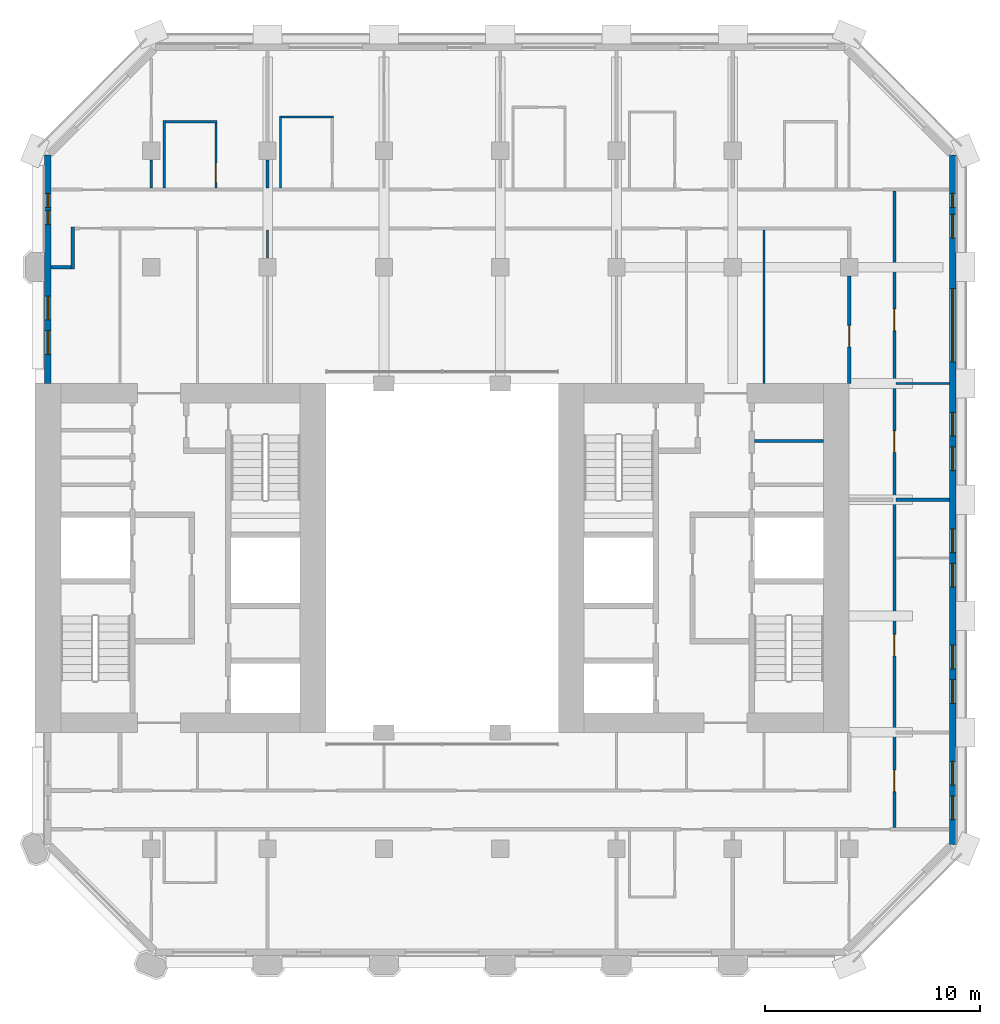
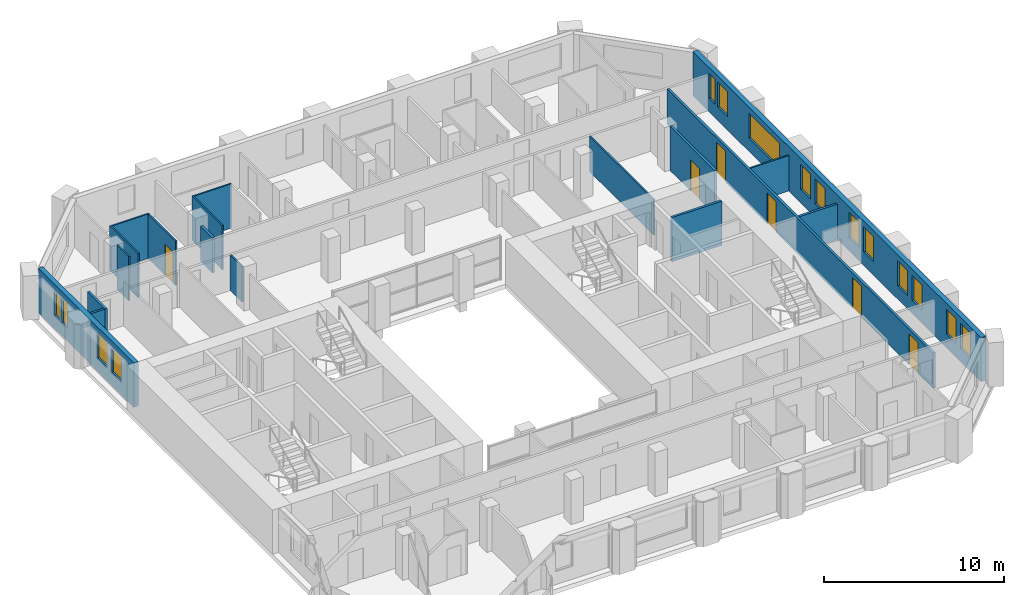
# One storey, part 7 of 12: 18 walls, 15 windows, 6 doors, 21 openings.
"""IFC4 building model written with IfcOpenShell, lengths in metres."""

from ifc_helpers import new_model, si_unit, direction, frame, frame_2d, origin, place, context, subcontext, project, spatial, rectangle, extrude, material, layer, layer_set, type_object, element, fill, save


model = new_model("IFC4")

# Units and contexts
model_context = context("Model", 3, precision=1e-05, world=origin(), true_north=direction((0.0, 1.0)))
body_context = subcontext(model_context, "Body", "Model", "MODEL_VIEW")
ifc_project = project(units=[si_unit("LENGTHUNIT", "METRE"), si_unit("AREAUNIT", "SQUARE_METRE"), si_unit("VOLUMEUNIT", "CUBIC_METRE"), si_unit("PLANEANGLEUNIT", "RADIAN"), si_unit("MASSUNIT", "GRAM", prefix="KILO")], contexts=[model_context])

# Site, building, storey
site_placement = place(None, origin())
site = spatial("IfcSite", under=ifc_project, at=site_placement, CompositionType="ELEMENT")
building_placement = place(site_placement, origin())
building = spatial("IfcBuilding", under=site, at=building_placement, Name="Tabaq Tower and Sports Hall", CompositionType="ELEMENT")
storey_placement = place(building_placement, frame((0.0, 0.0, 193.89990234375)))
storey = spatial("IfcBuildingStorey", under=building, at=storey_placement, Name="L47", CompositionType="ELEMENT", Elevation=193.89990234375)

# Walls
ifc_material_1 = material(Name="Blockwork", Category="masonry")
ifc_layer_1 = layer(ifc_material_1, 0.14990234375)
ifc_layer_set_1 = layer_set([ifc_layer_1], Name="Core room partition 150 Blockwork")
wall_type_1 = type_object("IfcWallType", Name="Core room partition 150 Blockwork", PredefinedType="PARTITIONING", material=ifc_layer_set_1)
wall_1_placement = place(storey_placement, frame((38.800048828125, 29.72412109375, 0.0), z_axis=(0.0, 0.0, 1.0), x_axis=(1.0, 0.0, 0.0)))
element("IfcWall", 1, at=wall_1_placement, inside=storey, type_object=wall_type_1, Name="Core room partition E L47", PredefinedType="PARTITIONING", context=body_context, shape_type="SweptSolid", body=[
    extrude(rectangle(XDim=3.199951171875, YDim=0.14990234375, at=frame_2d((1.60009765625, 0.0))), origin(), (0.0, 0.0, 1.0), 3.0),
])
ifc_material_2 = material(Name="Gypsum board on steel studs", Category="steel")
ifc_layer_2 = layer(ifc_material_2, 0.10009765625)
ifc_layer_set_2 = layer_set([ifc_layer_2], Name="Partition 100 Gypsum board")
wall_type_2 = type_object("IfcWallType", Name="Partition 100 Gypsum board", PredefinedType="PARTITIONING", material=ifc_layer_set_2)
wall_2_placement = place(storey_placement, frame((45.375, 32.39990234375, 0.0), z_axis=(0.0, 0.0, 1.0), x_axis=(1.0, 0.0, 0.0)))
element("IfcWall", 2, at=wall_2_placement, inside=storey, type_object=wall_type_2, Name="Partition wall L47", PredefinedType="PARTITIONING", context=body_context, shape_type="SweptSolid", body=[
    extrude(rectangle(XDim=2.47412109375, YDim=0.10009765625, at=frame_2d((1.237060546875, 0.0))), origin(), (0.0, 0.0, 1.0), 2.400146484375),
])
wall_3_placement = place(storey_placement, frame((10.800048828125, 42.780029296875, 0.0), z_axis=(0.0, 0.0, 1.0), x_axis=(0.0, -1.0, 0.0)))
element("IfcWall", 3, at=wall_3_placement, inside=storey, type_object=wall_type_2, Name="Partition wall L47", PredefinedType="PARTITIONING", context=body_context, shape_type="SweptSolid", body=[
    extrude(rectangle(XDim=1.304931640625, YDim=0.10009765625, at=frame_2d((0.65234375, 0.0))), origin(), (0.0, 0.0, 1.0), 3.0),
])
wall_4_placement = place(storey_placement, frame((11.39990234375, 41.47509765625, 0.0), z_axis=(0.0, 0.0, 1.0), x_axis=(0.0, 1.0, 0.0)))
element("IfcWall", 4, at=wall_4_placement, inside=storey, type_object=wall_type_2, Name="Partition wall L47", PredefinedType="PARTITIONING", context=body_context, shape_type="SweptSolid", body=[
    extrude(rectangle(XDim=3.125, YDim=0.10009765625, at=frame_2d((1.5625, 0.0))), origin(), (0.0, 0.0, 1.0), 3.0),
])
wall_5_placement = place(storey_placement, frame((11.449951171875, 44.550048828125, 0.0), z_axis=(0.0, 0.0, 1.0), x_axis=(1.0, 0.0, 0.0)))
element("IfcWall", 5, at=wall_5_placement, inside=storey, type_object=wall_type_2, Name="Partition wall L47", PredefinedType="PARTITIONING", context=body_context, shape_type="SweptSolid", body=[
    extrude(rectangle(XDim=2.400146484375, YDim=0.10009765625, at=frame_2d((1.2001953125, 0.0))), origin(), (0.0, 0.0, 1.0), 3.0),
])

# Wall, opening, door
wall_6_placement = place(storey_placement, frame((13.800048828125, 44.5, 0.0), z_axis=(0.0, 0.0, 1.0), x_axis=(0.0, -1.0, 0.0)))
wall_6 = element("IfcWall", 6, at=wall_6_placement, inside=storey, type_object=wall_type_2, Name="Partition wall L47", PredefinedType="PARTITIONING", context=body_context, shape_type="SweptSolid", body=[
    extrude(rectangle(XDim=3.02490234375, YDim=0.10009765625, at=frame_2d((1.512451171875, 0.0))), origin(), (0.0, 0.0, 1.0), 3.0),
])
opening_1_placement = place(wall_6_placement, frame((1.875, 0.0, 0.0)))
opening_1 = element("IfcOpeningElement", 7, at=opening_1_placement, cuts=wall_6, Name="Opening L47-002", PredefinedType="OPENING", context=body_context, shape_type="SweptSolid", body=[
    extrude(rectangle(XDim=0.89990234375, YDim=2.10009765625, at=frame_2d((0.449951171875, 1.050048828125))), frame((0.0, 0.050048828125, 0.0), z_axis=(0.0, -1.0, 0.0), x_axis=(1.0, 0.0, 0.0)), (0.0, 0.0, 1.0), 0.10009765625),
])
ifc_material_3 = material(Name="Timber leaf in steel frame", Category="steel")
door_type_1 = type_object("IfcDoorType", Name="Internal door 900 right hand", OperationType="SINGLE_SWING_RIGHT", PredefinedType="DOOR", material=ifc_material_3)
door_1_placement = place(opening_1_placement, origin())
door_1 = element("IfcDoor", 8, at=door_1_placement, inside=storey, type_object=door_type_1, Name="Internal door L47-002", OperationType="SINGLE_SWING_RIGHT", OverallHeight=2.10009765625, OverallWidth=0.89990234375, PredefinedType="DOOR", context=body_context, shape_type="SweptSolid", body=[
    extrude(rectangle(XDim=0.89990234375, YDim=2.10009765625, at=frame_2d((0.449951171875, 1.050048828125))), frame((0.0, 0.02490234375, 0.0), z_axis=(0.0, -1.0, 0.0), x_axis=(1.0, 0.0, 0.0)), (0.0, 0.0, 1.0), 0.050048828125),
])
fill(opening_1, door_1)

# Walls
wall_7_placement = place(storey_placement, frame((16.800048828125, 41.47509765625, 0.0), z_axis=(0.0, 0.0, 1.0), x_axis=(0.0, 1.0, 0.0)))
element("IfcWall", 9, at=wall_7_placement, inside=storey, type_object=wall_type_2, Name="Partition wall L47", PredefinedType="PARTITIONING", context=body_context, shape_type="SweptSolid", body=[
    extrude(rectangle(XDim=3.349853515625, YDim=0.10009765625, at=frame_2d((1.6748046875, 0.0))), origin(), (0.0, 0.0, 1.0), 3.0),
])
wall_8_placement = place(storey_placement, frame((16.85009765625, 44.77490234375, 0.0), z_axis=(0.0, 0.0, 1.0), x_axis=(1.0, 0.0, 0.0)))
element("IfcWall", 10, at=wall_8_placement, inside=storey, type_object=wall_type_2, Name="Partition wall L47", PredefinedType="PARTITIONING", context=body_context, shape_type="SweptSolid", body=[
    extrude(rectangle(XDim=2.39990234375, YDim=0.10009765625, at=frame_2d((1.199951171875, 0.0))), origin(), (0.0, 0.0, 1.0), 3.0),
])
wall_9_placement = place(storey_placement, frame((16.199951171875, 39.52490234375, 0.0), z_axis=(0.0, 0.0, 1.0), x_axis=(0.0, -1.0, 0.0)))
element("IfcWall", 11, at=wall_9_placement, inside=storey, type_object=wall_type_2, Name="Partition wall L47", PredefinedType="PARTITIONING", context=body_context, shape_type="SweptSolid", body=[
    extrude(rectangle(XDim=1.304931640625, YDim=0.10009765625, at=frame_2d((0.65234375, 0.0))), origin(), (0.0, 0.0, 1.0), 2.400146484375),
])
wall_10_placement = place(storey_placement, frame((39.25, 32.39990234375, 0.0), z_axis=(0.0, 0.0, 1.0), x_axis=(0.0, 1.0, 0.0)))
element("IfcWall", 12, at=wall_10_placement, inside=storey, type_object=wall_type_2, Name="Partition wall L47", PredefinedType="PARTITIONING", context=body_context, shape_type="SweptSolid", body=[
    extrude(rectangle(XDim=7.125, YDim=0.10009765625, at=frame_2d((3.5625, 0.0))), origin(), (0.0, 0.0, 1.0), 2.400146484375),
])
ifc_material_4 = material(Name="Blockwork", Category="masonry")
ifc_layer_3 = layer(ifc_material_4, 0.14990234375)
ifc_layer_set_3 = layer_set([ifc_layer_3], Name="Separating wall 150 Blockwork")
wall_type_3 = type_object("IfcWallType", Name="Separating wall 150 Blockwork", PredefinedType="PARTITIONING", material=ifc_layer_set_3)
wall_11_placement = place(storey_placement, frame((16.199951171875, 41.47509765625, 0.0), z_axis=(0.0, 0.0, 1.0), x_axis=(0.0, 1.0, 0.0)))
element("IfcWall", 13, at=wall_11_placement, inside=storey, type_object=wall_type_3, Name="Separating wall L47", PredefinedType="PARTITIONING", context=body_context, shape_type="SweptSolid", body=[
    extrude(rectangle(XDim=1.304931640625, YDim=0.14990234375, at=frame_2d((0.65234375, 0.0))), origin(), (0.0, 0.0, 1.0), 2.400146484375),
])
wall_12_placement = place(storey_placement, frame((45.375, 27.0, 0.0), z_axis=(0.0, 0.0, 1.0), x_axis=(1.0, 0.0, 0.0)))
element("IfcWall", 14, at=wall_12_placement, inside=storey, type_object=wall_type_3, Name="Separating wall L47", PredefinedType="PARTITIONING", context=body_context, shape_type="SweptSolid", body=[
    extrude(rectangle(XDim=2.47412109375, YDim=0.14990234375, at=frame_2d((1.237060546875, 0.0))), origin(), (0.0, 0.0, 1.0), 2.400146484375),
])
wall_13_placement = place(storey_placement, frame((7.15087890625, 39.675048828125, 0.0), z_axis=(0.0, 0.0, 1.0), x_axis=(-0.00050081376, -0.999999874593, 0.0)))
element("IfcWall", 15, at=wall_13_placement, inside=storey, type_object=wall_type_3, Name="Separating wall L47", PredefinedType="PARTITIONING", context=body_context, shape_type="SweptSolid", body=[
    extrude(rectangle(XDim=1.949951171875, YDim=0.14990234375, at=frame_2d((0.97509765625, 0.0))), origin(), (0.0, 0.0, 1.0), 3.0),
])
wall_14_placement = place(storey_placement, frame((7.074951171875, 37.800048828125, 0.0), z_axis=(0.0, 0.0, 1.0), x_axis=(-1.0, 0.0, 0.0)))
element("IfcWall", 16, at=wall_14_placement, inside=storey, type_object=wall_type_3, Name="Separating wall L47", PredefinedType="PARTITIONING", context=body_context, shape_type="SweptSolid", body=[
    extrude(rectangle(XDim=0.925048828125, YDim=0.14990234375, at=frame_2d((0.46240234375, 0.0))), origin(), (0.0, 0.0, 1.0), 3.0),
])

# Wall, opening, door
wall_15_placement = place(storey_placement, frame((43.199951171875, 37.3798828125, 0.0), z_axis=(0.0, 0.0, 1.0), x_axis=(0.0, -1.0, 0.0)))
wall_15 = element("IfcWall", 17, at=wall_15_placement, inside=storey, type_object=wall_type_3, Name="Separating wall L47", PredefinedType="PARTITIONING", context=body_context, shape_type="SweptSolid", body=[
    extrude(rectangle(XDim=4.97998046875, YDim=0.14990234375, at=frame_2d((2.489990234375, 0.0))), origin(), (0.0, 0.0, 1.0), 3.0),
])
opening_2_placement = place(wall_15_placement, frame((2.280029296875, 0.0, 0.0)))
opening_2 = element("IfcOpeningElement", 18, at=opening_2_placement, cuts=wall_15, Name="Opening L47-011", PredefinedType="OPENING", context=body_context, shape_type="SweptSolid", body=[
    extrude(rectangle(XDim=1.0, YDim=2.10009765625, at=frame_2d((0.5, 1.050048828125))), frame((0.0, 0.074951171875, 0.0), z_axis=(0.0, -1.0, 0.0), x_axis=(1.0, 0.0, 0.0)), (0.0, 0.0, 1.0), 0.14990234375),
])
ifc_material_5 = material(Name="Timber leaf in steel frame", Category="steel")
door_type_2 = type_object("IfcDoorType", Name="Internal door 1000 right hand", OperationType="SINGLE_SWING_RIGHT", PredefinedType="DOOR", material=ifc_material_5)
door_2_placement = place(opening_2_placement, origin())
door_2 = element("IfcDoor", 19, at=door_2_placement, inside=storey, type_object=door_type_2, Name="Internal door L47-011", OperationType="SINGLE_SWING_RIGHT", OverallHeight=2.10009765625, OverallWidth=1.0, PredefinedType="DOOR", context=body_context, shape_type="SweptSolid", body=[
    extrude(rectangle(XDim=1.0, YDim=2.10009765625, at=frame_2d((0.5, 1.050048828125))), frame((0.0, 0.02490234375, 0.0), z_axis=(0.0, -1.0, 0.0), x_axis=(1.0, 0.0, 0.0)), (0.0, 0.0, 1.0), 0.050048828125),
])
fill(opening_2, door_2)

# Wall, openings, doors
wall_16_placement = place(storey_placement, frame((45.300048828125, 41.324951171875, 0.0), z_axis=(0.0, 0.0, 1.0), x_axis=(0.0, -1.0, 0.0)))
wall_16 = element("IfcWall", 20, at=wall_16_placement, inside=storey, type_object=wall_type_3, Name="Separating wall L47", PredefinedType="PARTITIONING", context=body_context, shape_type="SweptSolid", body=[
    extrude(rectangle(XDim=29.550048828125, YDim=0.14990234375, at=frame_2d((14.77490234375, 0.0))), origin(), (0.0, 0.0, 1.0), 2.400146484375),
])
opening_3_placement = place(wall_16_placement, frame((5.467041015625, 0.0, 0.0)))
opening_3 = element("IfcOpeningElement", 21, at=opening_3_placement, cuts=wall_16, Name="Opening L47-001", PredefinedType="OPENING", context=body_context, shape_type="SweptSolid", body=[
    extrude(rectangle(XDim=1.0, YDim=2.10009765625, at=frame_2d((0.5, 1.050048828125))), frame((0.0, 0.074951171875, 0.0), z_axis=(0.0, -1.0, 0.0), x_axis=(1.0, 0.0, 0.0)), (0.0, 0.0, 1.0), 0.14990234375),
])
opening_4_placement = place(wall_16_placement, frame((11.125, 0.0, 0.0)))
opening_4 = element("IfcOpeningElement", 22, at=opening_4_placement, cuts=wall_16, Name="Opening L47-008", PredefinedType="OPENING", context=body_context, shape_type="SweptSolid", body=[
    extrude(rectangle(XDim=1.0, YDim=2.10009765625, at=frame_2d((0.5, 1.050048828125))), frame((0.0, 0.074951171875, 0.0), z_axis=(0.0, -1.0, 0.0), x_axis=(1.0, 0.0, 0.0)), (0.0, 0.0, 1.0), 0.14990234375),
])
opening_5_placement = place(wall_16_placement, frame((26.875, 0.0, 0.0)))
opening_5 = element("IfcOpeningElement", 23, at=opening_5_placement, cuts=wall_16, Name="Opening L47-013", PredefinedType="OPENING", context=body_context, shape_type="SweptSolid", body=[
    extrude(rectangle(XDim=1.0, YDim=2.10009765625, at=frame_2d((0.5, 1.050048828125))), frame((0.0, 0.074951171875, 0.0), z_axis=(0.0, -1.0, 0.0), x_axis=(1.0, 0.0, 0.0)), (0.0, 0.0, 1.0), 0.14990234375),
])
opening_6_placement = place(wall_16_placement, frame((20.574951171875, 0.0, 0.0)))
opening_6 = element("IfcOpeningElement", 24, at=opening_6_placement, cuts=wall_16, Name="Opening L47-039", PredefinedType="OPENING", context=body_context, shape_type="SweptSolid", body=[
    extrude(rectangle(XDim=1.0, YDim=2.10009765625, at=frame_2d((0.5, 1.050048828125))), frame((0.0, 0.074951171875, 0.0), z_axis=(0.0, -1.0, 0.0), x_axis=(1.0, 0.0, 0.0)), (0.0, 0.0, 1.0), 0.14990234375),
])
ifc_material_6 = material(Name="Steel fire door", Category="steel")
door_type_3 = type_object("IfcDoorType", Name="Entrance door 1000 right hand", OperationType="SINGLE_SWING_RIGHT", PredefinedType="DOOR", material=ifc_material_6)
door_3_placement = place(opening_6_placement, origin())
door_3 = element("IfcDoor", 25, at=door_3_placement, inside=storey, type_object=door_type_3, Name="Entrance door L47-039", OperationType="SINGLE_SWING_RIGHT", OverallHeight=2.10009765625, OverallWidth=1.0, PredefinedType="DOOR", context=body_context, shape_type="SweptSolid", body=[
    extrude(rectangle(XDim=1.0, YDim=2.10009765625, at=frame_2d((0.5, 1.050048828125))), frame((0.0, 0.02490234375, 0.0), z_axis=(0.0, -1.0, 0.0), x_axis=(1.0, 0.0, 0.0)), (0.0, 0.0, 1.0), 0.050048828125),
])
fill(opening_6, door_3)
ifc_material_7 = material(Name="Timber leaf in steel frame", Category="steel")
door_type_4 = type_object("IfcDoorType", Name="Internal door 1000 left hand", OperationType="SINGLE_SWING_LEFT", PredefinedType="DOOR", material=ifc_material_7)
door_4_placement = place(opening_3_placement, origin())
door_4 = element("IfcDoor", 26, at=door_4_placement, inside=storey, type_object=door_type_4, Name="Internal door L47-001", OperationType="SINGLE_SWING_LEFT", OverallHeight=2.10009765625, OverallWidth=1.0, PredefinedType="DOOR", context=body_context, shape_type="SweptSolid", body=[
    extrude(rectangle(XDim=1.0, YDim=2.10009765625, at=frame_2d((0.5, 1.050048828125))), frame((0.0, 0.02490234375, 0.0), z_axis=(0.0, -1.0, 0.0), x_axis=(1.0, 0.0, 0.0)), (0.0, 0.0, 1.0), 0.050048828125),
])
fill(opening_3, door_4)
door_5_placement = place(opening_5_placement, origin())
door_5 = element("IfcDoor", 27, at=door_5_placement, inside=storey, type_object=door_type_4, Name="Internal door L47-013", OperationType="SINGLE_SWING_LEFT", OverallHeight=2.10009765625, OverallWidth=1.0, PredefinedType="DOOR", context=body_context, shape_type="SweptSolid", body=[
    extrude(rectangle(XDim=1.0, YDim=2.10009765625, at=frame_2d((0.5, 1.050048828125))), frame((0.0, 0.02490234375, 0.0), z_axis=(0.0, -1.0, 0.0), x_axis=(1.0, 0.0, 0.0)), (0.0, 0.0, 1.0), 0.050048828125),
])
fill(opening_5, door_5)
door_6_placement = place(opening_4_placement, origin())
door_6 = element("IfcDoor", 28, at=door_6_placement, inside=storey, type_object=door_type_2, Name="Internal door L47-008", OperationType="SINGLE_SWING_RIGHT", OverallHeight=2.10009765625, OverallWidth=1.0, PredefinedType="DOOR", context=body_context, shape_type="SweptSolid", body=[
    extrude(rectangle(XDim=1.0, YDim=2.10009765625, at=frame_2d((0.5, 1.050048828125))), frame((0.0, 0.02490234375, 0.0), z_axis=(0.0, -1.0, 0.0), x_axis=(1.0, 0.0, 0.0)), (0.0, 0.0, 1.0), 0.050048828125),
])
fill(opening_4, door_6)

# Wall, openings, windows
ifc_material_8 = material(Name="White precast concrete C60/75", Category="concrete")
ifc_layer_4 = layer(ifc_material_8, 0.300048828125)
ifc_layer_set_4 = layer_set([ifc_layer_4], Name="White precast concrete C60/75 external wall 300")
wall_type_4 = type_object("IfcWallType", Name="White precast concrete C60/75 external wall 300", PredefinedType="SOLIDWALL", material=ifc_layer_set_4)
wall_17_placement = place(storey_placement, frame((48.0, 10.986328125, 0.0), z_axis=(0.0, 0.0, 1.0), x_axis=(0.0, 1.0, 0.0)))
wall_17 = element("IfcWall", 29, at=wall_17_placement, inside=storey, type_object=wall_type_4, Name="External Wall L47 E", PredefinedType="SOLIDWALL", context=body_context, shape_type="SweptSolid", body=[
    extrude(rectangle(XDim=32.02734375, YDim=0.300048828125, at=frame_2d((16.013671875, 0.0))), origin(), (0.0, 0.0, 1.0), 3.0),
])
opening_7_placement = place(wall_17_placement, frame((1.16357421875, 0.0, 0.89990234375)))
opening_7 = element("IfcOpeningElement", 30, at=opening_7_placement, cuts=wall_17, Name="Opening W1B", PredefinedType="OPENING", context=body_context, shape_type="SweptSolid", body=[
    extrude(rectangle(XDim=1.10009765625, YDim=1.699951171875, at=frame_2d((0.550048828125, 0.85009765625))), frame((0.0, 0.16015625, 0.0), z_axis=(0.0, -1.0, 0.0), x_axis=(1.0, 0.0, 0.0)), (0.0, 0.0, 1.0), 0.320068359375),
])
opening_8_placement = place(wall_17_placement, frame((2.763671875, 0.0, 0.89990234375)))
opening_8 = element("IfcOpeningElement", 31, at=opening_8_placement, cuts=wall_17, Name="Opening W1B", PredefinedType="OPENING", context=body_context, shape_type="SweptSolid", body=[
    extrude(rectangle(XDim=1.10009765625, YDim=1.699951171875, at=frame_2d((0.550048828125, 0.85009765625))), frame((0.0, 0.16015625, 0.0), z_axis=(0.0, -1.0, 0.0), x_axis=(1.0, 0.0, 0.0)), (0.0, 0.0, 1.0), 0.320068359375),
])
opening_9_placement = place(wall_17_placement, frame((6.563720703125, 0.0, 0.89990234375)))
opening_9 = element("IfcOpeningElement", 32, at=opening_9_placement, cuts=wall_17, Name="Opening W1B", PredefinedType="OPENING", context=body_context, shape_type="SweptSolid", body=[
    extrude(rectangle(XDim=1.10009765625, YDim=1.699951171875, at=frame_2d((0.550048828125, 0.85009765625))), frame((0.0, 0.16015625, 0.0), z_axis=(0.0, -1.0, 0.0), x_axis=(1.0, 0.0, 0.0)), (0.0, 0.0, 1.0), 0.320068359375),
])
opening_10_placement = place(wall_17_placement, frame((8.16357421875, 0.0, 0.89990234375)))
opening_10 = element("IfcOpeningElement", 33, at=opening_10_placement, cuts=wall_17, Name="Opening W1B", PredefinedType="OPENING", context=body_context, shape_type="SweptSolid", body=[
    extrude(rectangle(XDim=1.10009765625, YDim=1.699951171875, at=frame_2d((0.550048828125, 0.85009765625))), frame((0.0, 0.16015625, 0.0), z_axis=(0.0, -1.0, 0.0), x_axis=(1.0, 0.0, 0.0)), (0.0, 0.0, 1.0), 0.320068359375),
])
opening_11_placement = place(wall_17_placement, frame((11.963623046875, 0.0, 0.89990234375)))
opening_11 = element("IfcOpeningElement", 34, at=opening_11_placement, cuts=wall_17, Name="Opening W1B", PredefinedType="OPENING", context=body_context, shape_type="SweptSolid", body=[
    extrude(rectangle(XDim=1.10009765625, YDim=1.699951171875, at=frame_2d((0.550048828125, 0.85009765625))), frame((0.0, 0.16015625, 0.0), z_axis=(0.0, -1.0, 0.0), x_axis=(1.0, 0.0, 0.0)), (0.0, 0.0, 1.0), 0.320068359375),
])
opening_12_placement = place(wall_17_placement, frame((13.563720703125, 0.0, 0.89990234375)))
opening_12 = element("IfcOpeningElement", 35, at=opening_12_placement, cuts=wall_17, Name="Opening W1B", PredefinedType="OPENING", context=body_context, shape_type="SweptSolid", body=[
    extrude(rectangle(XDim=1.10009765625, YDim=1.699951171875, at=frame_2d((0.550048828125, 0.85009765625))), frame((0.0, 0.16015625, 0.0), z_axis=(0.0, -1.0, 0.0), x_axis=(1.0, 0.0, 0.0)), (0.0, 0.0, 1.0), 0.320068359375),
])
opening_13_placement = place(wall_17_placement, frame((17.363525390625, 0.0, 0.89990234375)))
opening_13 = element("IfcOpeningElement", 36, at=opening_13_placement, cuts=wall_17, Name="Opening W1B", PredefinedType="OPENING", context=body_context, shape_type="SweptSolid", body=[
    extrude(rectangle(XDim=1.10009765625, YDim=1.699951171875, at=frame_2d((0.550048828125, 0.85009765625))), frame((0.0, 0.16015625, 0.0), z_axis=(0.0, -1.0, 0.0), x_axis=(1.0, 0.0, 0.0)), (0.0, 0.0, 1.0), 0.320068359375),
])
opening_14_placement = place(wall_17_placement, frame((18.963623046875, 0.0, 0.89990234375)))
opening_14 = element("IfcOpeningElement", 37, at=opening_14_placement, cuts=wall_17, Name="Opening W1B", PredefinedType="OPENING", context=body_context, shape_type="SweptSolid", body=[
    extrude(rectangle(XDim=1.10009765625, YDim=1.699951171875, at=frame_2d((0.550048828125, 0.85009765625))), frame((0.0, 0.16015625, 0.0), z_axis=(0.0, -1.0, 0.0), x_axis=(1.0, 0.0, 0.0)), (0.0, 0.0, 1.0), 0.320068359375),
])
opening_15_placement = place(wall_17_placement, frame((22.41357421875, 0.0, 0.89990234375)))
opening_15 = element("IfcOpeningElement", 38, at=opening_15_placement, cuts=wall_17, Name="Opening W1A", PredefinedType="OPENING", context=body_context, shape_type="SweptSolid", body=[
    extrude(rectangle(XDim=3.39990234375, YDim=1.699951171875, at=frame_2d((1.699951171875, 0.85009765625))), frame((0.0, 0.16015625, 0.0), z_axis=(0.0, -1.0, 0.0), x_axis=(1.0, 0.0, 0.0)), (0.0, 0.0, 1.0), 0.320068359375),
])
opening_16_placement = place(wall_17_placement, frame((28.16357421875, 0.0, 0.89990234375)))
opening_16 = element("IfcOpeningElement", 39, at=opening_16_placement, cuts=wall_17, Name="Opening W1B", PredefinedType="OPENING", context=body_context, shape_type="SweptSolid", body=[
    extrude(rectangle(XDim=1.10009765625, YDim=1.699951171875, at=frame_2d((0.550048828125, 0.85009765625))), frame((0.0, 0.16015625, 0.0), z_axis=(0.0, -1.0, 0.0), x_axis=(1.0, 0.0, 0.0)), (0.0, 0.0, 1.0), 0.320068359375),
])
opening_17_placement = place(wall_17_placement, frame((29.588623046875, 0.0, 0.89990234375)))
opening_17 = element("IfcOpeningElement", 40, at=opening_17_placement, cuts=wall_17, Name="Opening W1C", PredefinedType="OPENING", context=body_context, shape_type="SweptSolid", body=[
    extrude(rectangle(XDim=0.64990234375, YDim=1.699951171875, at=frame_2d((0.324951171875, 0.85009765625))), frame((0.0, 0.16015625, 0.0), z_axis=(0.0, -1.0, 0.0), x_axis=(1.0, 0.0, 0.0)), (0.0, 0.0, 1.0), 0.320068359375),
])
ifc_material_9 = material(Name="Aluminium framed clear glazing", Category="aluminium")
window_type_1 = type_object("IfcWindowType", Name="Window W1A", PartitioningType="SINGLE_PANEL", PredefinedType="WINDOW", material=ifc_material_9)
window_1_placement = place(opening_15_placement, origin())
window_1 = element("IfcWindow", 41, at=window_1_placement, inside=storey, type_object=window_type_1, Name="Window W1A L47", OverallHeight=1.699951171875, OverallWidth=3.39990234375, PartitioningType="SINGLE_PANEL", PredefinedType="WINDOW", context=body_context, shape_type="SweptSolid", body=[
    extrude(rectangle(XDim=3.39990234375, YDim=1.699951171875, at=frame_2d((1.699951171875, 0.85009765625))), frame((0.0, 0.030029296875, 0.0), z_axis=(0.0, -1.0, 0.0), x_axis=(1.0, 0.0, 0.0)), (0.0, 0.0, 1.0), 0.06005859375),
])
fill(opening_15, window_1)
ifc_material_10 = material(Name="Aluminium framed clear glazing", Category="aluminium")
window_type_2 = type_object("IfcWindowType", Name="Window W1B", PartitioningType="SINGLE_PANEL", PredefinedType="WINDOW", material=ifc_material_10)
window_2_placement = place(opening_7_placement, origin())
window_2 = element("IfcWindow", 42, at=window_2_placement, inside=storey, type_object=window_type_2, Name="Window W1B L47", OverallHeight=1.699951171875, OverallWidth=1.10009765625, PartitioningType="SINGLE_PANEL", PredefinedType="WINDOW", context=body_context, shape_type="SweptSolid", body=[
    extrude(rectangle(XDim=1.10009765625, YDim=1.699951171875, at=frame_2d((0.550048828125, 0.85009765625))), frame((0.0, 0.030029296875, 0.0), z_axis=(0.0, -1.0, 0.0), x_axis=(1.0, 0.0, 0.0)), (0.0, 0.0, 1.0), 0.06005859375),
])
fill(opening_7, window_2)
window_3_placement = place(opening_8_placement, origin())
window_3 = element("IfcWindow", 43, at=window_3_placement, inside=storey, type_object=window_type_2, Name="Window W1B L47", OverallHeight=1.699951171875, OverallWidth=1.10009765625, PartitioningType="SINGLE_PANEL", PredefinedType="WINDOW", context=body_context, shape_type="SweptSolid", body=[
    extrude(rectangle(XDim=1.10009765625, YDim=1.699951171875, at=frame_2d((0.550048828125, 0.85009765625))), frame((0.0, 0.030029296875, 0.0), z_axis=(0.0, -1.0, 0.0), x_axis=(1.0, 0.0, 0.0)), (0.0, 0.0, 1.0), 0.06005859375),
])
fill(opening_8, window_3)
window_4_placement = place(opening_9_placement, origin())
window_4 = element("IfcWindow", 44, at=window_4_placement, inside=storey, type_object=window_type_2, Name="Window W1B L47", OverallHeight=1.699951171875, OverallWidth=1.10009765625, PartitioningType="SINGLE_PANEL", PredefinedType="WINDOW", context=body_context, shape_type="SweptSolid", body=[
    extrude(rectangle(XDim=1.10009765625, YDim=1.699951171875, at=frame_2d((0.550048828125, 0.85009765625))), frame((0.0, 0.030029296875, 0.0), z_axis=(0.0, -1.0, 0.0), x_axis=(1.0, 0.0, 0.0)), (0.0, 0.0, 1.0), 0.06005859375),
])
fill(opening_9, window_4)
window_5_placement = place(opening_10_placement, origin())
window_5 = element("IfcWindow", 45, at=window_5_placement, inside=storey, type_object=window_type_2, Name="Window W1B L47", OverallHeight=1.699951171875, OverallWidth=1.10009765625, PartitioningType="SINGLE_PANEL", PredefinedType="WINDOW", context=body_context, shape_type="SweptSolid", body=[
    extrude(rectangle(XDim=1.10009765625, YDim=1.699951171875, at=frame_2d((0.550048828125, 0.85009765625))), frame((0.0, 0.030029296875, 0.0), z_axis=(0.0, -1.0, 0.0), x_axis=(1.0, 0.0, 0.0)), (0.0, 0.0, 1.0), 0.06005859375),
])
fill(opening_10, window_5)
window_6_placement = place(opening_11_placement, origin())
window_6 = element("IfcWindow", 46, at=window_6_placement, inside=storey, type_object=window_type_2, Name="Window W1B L47", OverallHeight=1.699951171875, OverallWidth=1.10009765625, PartitioningType="SINGLE_PANEL", PredefinedType="WINDOW", context=body_context, shape_type="SweptSolid", body=[
    extrude(rectangle(XDim=1.10009765625, YDim=1.699951171875, at=frame_2d((0.550048828125, 0.85009765625))), frame((0.0, 0.030029296875, 0.0), z_axis=(0.0, -1.0, 0.0), x_axis=(1.0, 0.0, 0.0)), (0.0, 0.0, 1.0), 0.06005859375),
])
fill(opening_11, window_6)
window_7_placement = place(opening_12_placement, origin())
window_7 = element("IfcWindow", 47, at=window_7_placement, inside=storey, type_object=window_type_2, Name="Window W1B L47", OverallHeight=1.699951171875, OverallWidth=1.10009765625, PartitioningType="SINGLE_PANEL", PredefinedType="WINDOW", context=body_context, shape_type="SweptSolid", body=[
    extrude(rectangle(XDim=1.10009765625, YDim=1.699951171875, at=frame_2d((0.550048828125, 0.85009765625))), frame((0.0, 0.030029296875, 0.0), z_axis=(0.0, -1.0, 0.0), x_axis=(1.0, 0.0, 0.0)), (0.0, 0.0, 1.0), 0.06005859375),
])
fill(opening_12, window_7)
window_8_placement = place(opening_13_placement, origin())
window_8 = element("IfcWindow", 48, at=window_8_placement, inside=storey, type_object=window_type_2, Name="Window W1B L47", OverallHeight=1.699951171875, OverallWidth=1.10009765625, PartitioningType="SINGLE_PANEL", PredefinedType="WINDOW", context=body_context, shape_type="SweptSolid", body=[
    extrude(rectangle(XDim=1.10009765625, YDim=1.699951171875, at=frame_2d((0.550048828125, 0.85009765625))), frame((0.0, 0.030029296875, 0.0), z_axis=(0.0, -1.0, 0.0), x_axis=(1.0, 0.0, 0.0)), (0.0, 0.0, 1.0), 0.06005859375),
])
fill(opening_13, window_8)
window_9_placement = place(opening_14_placement, origin())
window_9 = element("IfcWindow", 49, at=window_9_placement, inside=storey, type_object=window_type_2, Name="Window W1B L47", OverallHeight=1.699951171875, OverallWidth=1.10009765625, PartitioningType="SINGLE_PANEL", PredefinedType="WINDOW", context=body_context, shape_type="SweptSolid", body=[
    extrude(rectangle(XDim=1.10009765625, YDim=1.699951171875, at=frame_2d((0.550048828125, 0.85009765625))), frame((0.0, 0.030029296875, 0.0), z_axis=(0.0, -1.0, 0.0), x_axis=(1.0, 0.0, 0.0)), (0.0, 0.0, 1.0), 0.06005859375),
])
fill(opening_14, window_9)
window_10_placement = place(opening_16_placement, origin())
window_10 = element("IfcWindow", 50, at=window_10_placement, inside=storey, type_object=window_type_2, Name="Window W1B L47", OverallHeight=1.699951171875, OverallWidth=1.10009765625, PartitioningType="SINGLE_PANEL", PredefinedType="WINDOW", context=body_context, shape_type="SweptSolid", body=[
    extrude(rectangle(XDim=1.10009765625, YDim=1.699951171875, at=frame_2d((0.550048828125, 0.85009765625))), frame((0.0, 0.030029296875, 0.0), z_axis=(0.0, -1.0, 0.0), x_axis=(1.0, 0.0, 0.0)), (0.0, 0.0, 1.0), 0.06005859375),
])
fill(opening_16, window_10)
ifc_material_11 = material(Name="Aluminium framed clear glazing", Category="aluminium")
window_type_3 = type_object("IfcWindowType", Name="Window W1C", PartitioningType="SINGLE_PANEL", PredefinedType="WINDOW", material=ifc_material_11)
window_11_placement = place(opening_17_placement, origin())
window_11 = element("IfcWindow", 51, at=window_11_placement, inside=storey, type_object=window_type_3, Name="Window W1C L47", OverallHeight=1.699951171875, OverallWidth=0.64990234375, PartitioningType="SINGLE_PANEL", PredefinedType="WINDOW", context=body_context, shape_type="SweptSolid", body=[
    extrude(rectangle(XDim=0.64990234375, YDim=1.699951171875, at=frame_2d((0.324951171875, 0.85009765625))), frame((0.0, 0.030029296875, 0.0), z_axis=(0.0, -1.0, 0.0), x_axis=(1.0, 0.0, 0.0)), (0.0, 0.0, 1.0), 0.06005859375),
])
fill(opening_17, window_11)

wall_18_placement = place(storey_placement, frame((6.0, 43.013671875, 0.0), z_axis=(0.0, 0.0, 1.0), x_axis=(0.0, -1.0, 0.0)))
wall_18 = element("IfcWall", 52, at=wall_18_placement, inside=storey, type_object=wall_type_4, Name="External Wall L47 W", PredefinedType="SOLIDWALL", context=body_context, shape_type="SweptSolid", body=[
    extrude(rectangle(XDim=10.61376953125, YDim=0.300048828125, at=frame_2d((5.306884765625, 0.0))), origin(), (0.0, 0.0, 1.0), 3.0),
])
opening_18_placement = place(wall_18_placement, frame((1.78857421875, 0.0, 0.89990234375)))
opening_18 = element("IfcOpeningElement", 53, at=opening_18_placement, cuts=wall_18, Name="Opening W1C", PredefinedType="OPENING", context=body_context, shape_type="SweptSolid", body=[
    extrude(rectangle(XDim=0.64990234375, YDim=1.699951171875, at=frame_2d((0.324951171875, 0.85009765625))), frame((0.0, 0.16015625, 0.0), z_axis=(0.0, -1.0, 0.0), x_axis=(1.0, 0.0, 0.0)), (0.0, 0.0, 1.0), 0.320068359375),
])
opening_19_placement = place(wall_18_placement, frame((2.588623046875, 0.0, 0.89990234375)))
opening_19 = element("IfcOpeningElement", 54, at=opening_19_placement, cuts=wall_18, Name="Opening W1C", PredefinedType="OPENING", context=body_context, shape_type="SweptSolid", body=[
    extrude(rectangle(XDim=0.64990234375, YDim=1.699951171875, at=frame_2d((0.324951171875, 0.85009765625))), frame((0.0, 0.16015625, 0.0), z_axis=(0.0, -1.0, 0.0), x_axis=(1.0, 0.0, 0.0)), (0.0, 0.0, 1.0), 0.320068359375),
])
opening_20_placement = place(wall_18_placement, frame((6.563720703125, 0.0, 0.89990234375)))
opening_20 = element("IfcOpeningElement", 55, at=opening_20_placement, cuts=wall_18, Name="Opening W1B", PredefinedType="OPENING", context=body_context, shape_type="SweptSolid", body=[
    extrude(rectangle(XDim=1.10009765625, YDim=1.699951171875, at=frame_2d((0.550048828125, 0.85009765625))), frame((0.0, 0.16015625, 0.0), z_axis=(0.0, -1.0, 0.0), x_axis=(1.0, 0.0, 0.0)), (0.0, 0.0, 1.0), 0.320068359375),
])
opening_21_placement = place(wall_18_placement, frame((8.16357421875, 0.0, 0.89990234375)))
opening_21 = element("IfcOpeningElement", 56, at=opening_21_placement, cuts=wall_18, Name="Opening W1B", PredefinedType="OPENING", context=body_context, shape_type="SweptSolid", body=[
    extrude(rectangle(XDim=1.10009765625, YDim=1.699951171875, at=frame_2d((0.550048828125, 0.85009765625))), frame((0.0, 0.16015625, 0.0), z_axis=(0.0, -1.0, 0.0), x_axis=(1.0, 0.0, 0.0)), (0.0, 0.0, 1.0), 0.320068359375),
])
window_12_placement = place(opening_20_placement, origin())
window_12 = element("IfcWindow", 57, at=window_12_placement, inside=storey, type_object=window_type_2, Name="Window W1B L47", OverallHeight=1.699951171875, OverallWidth=1.10009765625, PartitioningType="SINGLE_PANEL", PredefinedType="WINDOW", context=body_context, shape_type="SweptSolid", body=[
    extrude(rectangle(XDim=1.10009765625, YDim=1.699951171875, at=frame_2d((0.550048828125, 0.85009765625))), frame((0.0, 0.030029296875, 0.0), z_axis=(0.0, -1.0, 0.0), x_axis=(1.0, 0.0, 0.0)), (0.0, 0.0, 1.0), 0.06005859375),
])
fill(opening_20, window_12)
window_13_placement = place(opening_21_placement, origin())
window_13 = element("IfcWindow", 58, at=window_13_placement, inside=storey, type_object=window_type_2, Name="Window W1B L47", OverallHeight=1.699951171875, OverallWidth=1.10009765625, PartitioningType="SINGLE_PANEL", PredefinedType="WINDOW", context=body_context, shape_type="SweptSolid", body=[
    extrude(rectangle(XDim=1.10009765625, YDim=1.699951171875, at=frame_2d((0.550048828125, 0.85009765625))), frame((0.0, 0.030029296875, 0.0), z_axis=(0.0, -1.0, 0.0), x_axis=(1.0, 0.0, 0.0)), (0.0, 0.0, 1.0), 0.06005859375),
])
fill(opening_21, window_13)
window_14_placement = place(opening_18_placement, origin())
window_14 = element("IfcWindow", 59, at=window_14_placement, inside=storey, type_object=window_type_3, Name="Window W1C L47", OverallHeight=1.699951171875, OverallWidth=0.64990234375, PartitioningType="SINGLE_PANEL", PredefinedType="WINDOW", context=body_context, shape_type="SweptSolid", body=[
    extrude(rectangle(XDim=0.64990234375, YDim=1.699951171875, at=frame_2d((0.324951171875, 0.85009765625))), frame((0.0, 0.030029296875, 0.0), z_axis=(0.0, -1.0, 0.0), x_axis=(1.0, 0.0, 0.0)), (0.0, 0.0, 1.0), 0.06005859375),
])
fill(opening_18, window_14)
window_15_placement = place(opening_19_placement, origin())
window_15 = element("IfcWindow", 60, at=window_15_placement, inside=storey, type_object=window_type_3, Name="Window W1C L47", OverallHeight=1.699951171875, OverallWidth=0.64990234375, PartitioningType="SINGLE_PANEL", PredefinedType="WINDOW", context=body_context, shape_type="SweptSolid", body=[
    extrude(rectangle(XDim=0.64990234375, YDim=1.699951171875, at=frame_2d((0.324951171875, 0.85009765625))), frame((0.0, 0.030029296875, 0.0), z_axis=(0.0, -1.0, 0.0), x_axis=(1.0, 0.0, 0.0)), (0.0, 0.0, 1.0), 0.06005859375),
])
fill(opening_19, window_15)

save(model, "model.ifc")
